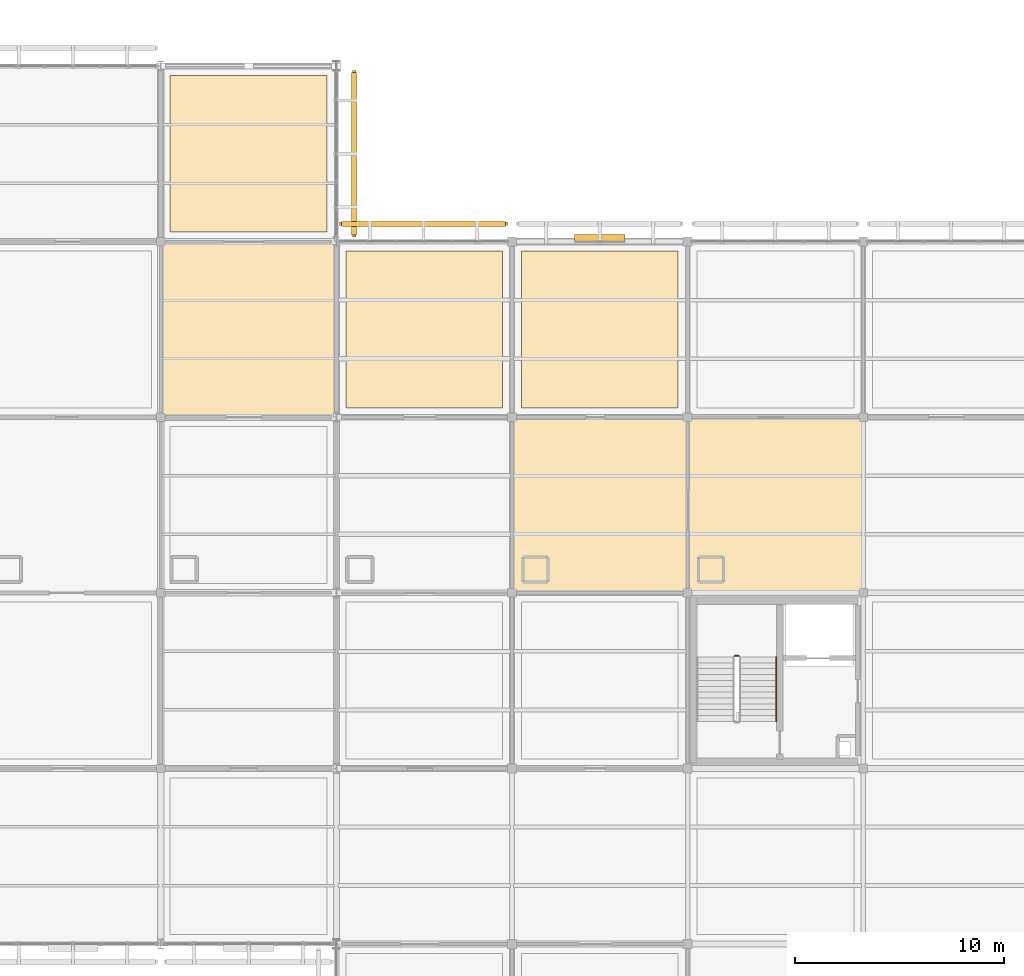
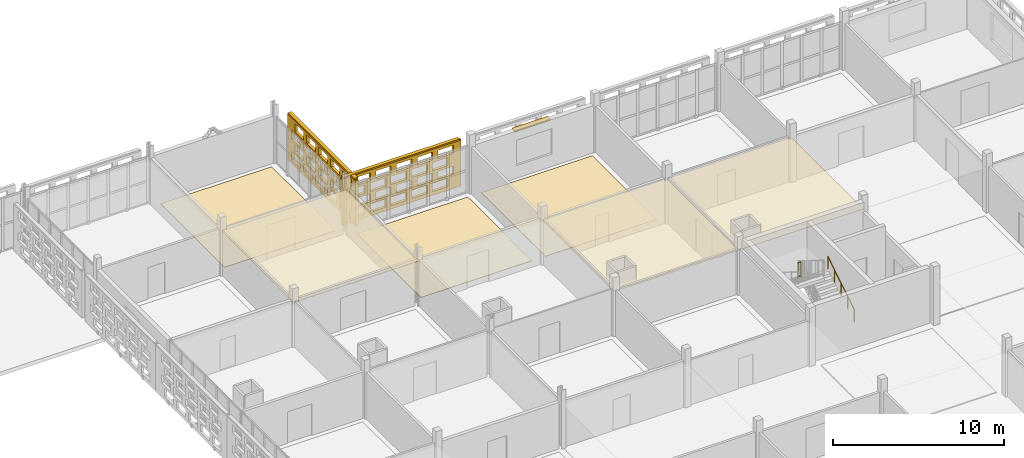
# One storey, part 163 of 166: 8 coverings, 3 shading devices, 2 railings, 40 openings.
"""IFC4 building model written with IfcOpenShell, lengths in metres."""

from ifc_helpers import new_model, si_unit, direction, frame, frame_2d, origin, origin_2d, place, context, subcontext, project, spatial, rectangle, circle, extrude, material, layer, layer_set, type_object, element, save


model = new_model("IFC4")

# Units and contexts
model_context = context("Model", 3, precision=1e-05, world=origin(), true_north=direction((0.0, 1.0)))
body_context = subcontext(model_context, "Body", "Model", "MODEL_VIEW")
ifc_project = project(units=[si_unit("LENGTHUNIT", "METRE"), si_unit("AREAUNIT", "SQUARE_METRE"), si_unit("VOLUMEUNIT", "CUBIC_METRE"), si_unit("PLANEANGLEUNIT", "RADIAN"), si_unit("MASSUNIT", "GRAM", prefix="KILO")], contexts=[model_context])

# Site, building, storey
site_placement = place(None, origin())
site = spatial("IfcSite", under=ifc_project, at=site_placement, CompositionType="ELEMENT")
building_placement = place(site_placement, origin())
building = spatial("IfcBuilding", under=site, at=building_placement, Name="Varnapada Polytechnic", CompositionType="ELEMENT")
storey_placement = place(building_placement, frame((0.0, 0.0, 9.60009765625)))
storey = spatial("IfcBuildingStorey", under=building, at=storey_placement, Name="L02", CompositionType="ELEMENT", Elevation=9.60009765625)

# Coverings
ifc_material_1 = material(Name="Acoustic Rubber Seminar Flooring")
ifc_layer_1 = layer(ifc_material_1, 0.0400390625)
ifc_layer_set_1 = layer_set([ifc_layer_1], Name="Acoustic Rubber Seminar Flooring")
covering_type_1 = type_object("IfcCoveringType", Name="Floor Finish FLR-06", PredefinedType="FLOORING", material=ifc_layer_set_1)
for number, where, z_axis, x_axis, name in (
    (1, (130.199951171875, 121.800048828125, 0.0), (0.0, 0.0, 1.0), (1.0, 0.0, 0.0), "L02 floor finish panel (16,15)"),
    (2, (138.60009765625, 113.39990234375, 0.0), (0.0, 0.0, 1.0), (1.0, 0.0, 0.0), "L02 floor finish panel (17,14)"),
    (3, (147.0, 113.39990234375, 0.0), (0.0, 0.0, 1.0), (1.0, 0.0, 0.0), "L02 floor finish panel (18,14)"),
):
    element("IfcCovering", number, at=place(storey_placement, frame(where, z_axis=z_axis, x_axis=x_axis)), inside=storey, type_object=covering_type_1, Name=name, PredefinedType="FLOORING", context=body_context, shape_type="SweptSolid", body=[
        extrude(rectangle(XDim=7.5, YDim=7.5, at=origin_2d()), origin(), (0.0, 0.0, 1.0), 0.0400390625),
    ])

# Shading device
ifc_material_2 = material(Name="Anodised aluminium", Category="aluminium")
ifc_layer_2 = layer(ifc_material_2, 0.35009765625)
ifc_layer_set_2 = layer_set([ifc_layer_2], Name="Anodised aluminium")
shading_device_type_1 = type_object("IfcShadingDeviceType", Name="Solar Louvre LVR-01", PredefinedType="JALOUSIE", material=ifc_layer_set_2)
shading_device_1_placement = place(storey_placement, frame((147.0, 117.780029296875, 3.159912109375), z_axis=(0.0, 0.0, 1.0), x_axis=(1.0, 0.0, 0.0)))
element("IfcShadingDevice", 4, at=shading_device_1_placement, inside=storey, type_object=shading_device_type_1, Name="L02 aluminium sun louvre 94", PredefinedType="JALOUSIE", context=body_context, shape_type="SweptSolid", body=[
    extrude(rectangle(XDim=2.39990234375, YDim=0.340087890625, at=origin_2d()), origin(), (0.0, 0.0, 1.0), 0.1201171875),
])

# Railings
ifc_material_3 = material(Name="Brushed Stainless Steel 316", Category="steel")
railing_type_1 = type_object("IfcRailingType", Name="Stair Wall Handrail SHR-01", PredefinedType="HANDRAIL", material=ifc_material_3)
railing_1_placement = place(storey_placement, frame((155.449951171875, 94.64990234375, 0.1748046875)))
element("IfcRailing", 5, at=railing_1_placement, inside=storey, type_object=railing_type_1, Name="L02 ST-5 stair handrail 1", PredefinedType="HANDRAIL", context=body_context, shape_type="SweptSolid", body=[
    extrude(circle(Radius=0.02392578125, at=origin_2d()), frame((0.0, 0.0, 0.8759765625), z_axis=(0.0, 0.847998304005, 0.529998940003), x_axis=(-1.0, 0.0, 0.0)), (0.0, 0.0, 1.0), 3.632080078125),
    extrude(circle(Radius=0.02099609375, at=origin_2d()), origin(), (0.0, 0.0, 1.0), 0.851806640625),
    extrude(circle(Radius=0.02099609375, at=origin_2d()), frame((0.0, 0.77001953125, 0.481201171875)), (0.0, 0.0, 1.0), 0.851806640625),
    extrude(circle(Radius=0.02099609375, at=origin_2d()), frame((0.0, 1.5400390625, 0.96240234375)), (0.0, 0.0, 1.0), 0.851806640625),
    extrude(circle(Radius=0.02099609375, at=origin_2d()), frame((0.0, 2.31005859375, 1.44384765625)), (0.0, 0.0, 1.0), 0.851806640625),
    extrude(circle(Radius=0.02099609375, at=origin_2d()), frame((0.0, 3.080078125, 1.925048828125)), (0.0, 0.0, 1.0), 0.851806640625),
])
railing_type_2 = type_object("IfcRailingType", Name="Stair Well Guard Rail SGR-01", PredefinedType="BALUSTRADE", material=ifc_material_3)
railing_2_placement = place(storey_placement, frame((153.64990234375, 97.780029296875, 2.099853515625)))
element("IfcRailing", 6, at=railing_2_placement, inside=storey, type_object=railing_type_2, Name="L02 ST-5 stair guard 2", PredefinedType="BALUSTRADE", context=body_context, shape_type="SweptSolid", body=[
    extrude(circle(Radius=0.02392578125, at=origin_2d()), frame((0.0, 0.0, 1.09619140625), z_axis=(-1.0, 0.0, 0.0), x_axis=(0.0, -1.0, 0.0)), (0.0, 0.0, 1.0), 0.199951171875),
    extrude(circle(Radius=0.02392578125, at=origin_2d()), frame((0.0, 0.0, 0.10009765625), z_axis=(-1.0, 0.0, 0.0), x_axis=(0.0, -1.0, 0.0)), (0.0, 0.0, 1.0), 0.199951171875),
    extrude(circle(Radius=0.02099609375, at=origin_2d()), origin(), (0.0, 0.0, 1.0), 1.072021484375),
    extrude(circle(Radius=0.02099609375, at=origin_2d()), frame((-0.199951171875, 0.0, 0.0)), (0.0, 0.0, 1.0), 1.072021484375),
])

# Coverings
ifc_material_4 = material(Name="Mineral Fibre Acoustic Ceiling Tile")
ifc_layer_3 = layer(ifc_material_4, 0.0400390625)
ifc_layer_set_3 = layer_set([ifc_layer_3], Name="Mineral Fibre Acoustic Ceiling Tile")
covering_type_2 = type_object("IfcCoveringType", Name="Suspended Ceiling CLG-01", PredefinedType="CEILING", material=ifc_layer_set_3)
covering_1_placement = place(storey_placement, frame((147.0, 105.0, 3.02978515625), z_axis=(0.0, 0.0, 1.0), x_axis=(1.0, 0.0, 0.0)))
element("IfcCovering", 7, at=covering_1_placement, inside=storey, type_object=covering_type_2, Name="L02 suspended acoustic ceiling (18,13)", PredefinedType="CEILING", context=body_context, shape_type="SweptSolid", body=[
    extrude(rectangle(XDim=8.419921875, YDim=8.419921875, at=origin_2d()), origin(), (0.0, 0.0, 1.0), 0.0400390625),
])
ifc_material_5 = material(Name="Micro-Perforated Gypsum Acoustic Ceiling")
ifc_layer_4 = layer(ifc_material_5, 0.044921875)
ifc_layer_set_4 = layer_set([ifc_layer_4], Name="Micro-Perforated Gypsum Acoustic Ceiling")
covering_type_3 = type_object("IfcCoveringType", Name="Suspended Ceiling CLG-04", PredefinedType="CEILING", material=ifc_layer_set_4)
covering_2_placement = place(storey_placement, frame((155.39990234375, 105.0, 3.02734375), z_axis=(0.0, 0.0, 1.0), x_axis=(1.0, 0.0, 0.0)))
element("IfcCovering", 8, at=covering_2_placement, inside=storey, type_object=covering_type_3, Name="L02 suspended acoustic ceiling (19,13)", PredefinedType="CEILING", context=body_context, shape_type="SweptSolid", body=[
    extrude(rectangle(XDim=8.419921875, YDim=8.419921875, at=origin_2d()), origin(), (0.0, 0.0, 1.0), 0.044921875),
])
ifc_material_6 = material(Name="Slatted Merbau Timber Acoustic Ceiling", Category="wood")
ifc_layer_5 = layer(ifc_material_6, 0.054931640625)
ifc_layer_set_5 = layer_set([ifc_layer_5], Name="Slatted Merbau Timber Acoustic Ceiling")
covering_type_4 = type_object("IfcCoveringType", Name="Suspended Ceiling CLG-05", PredefinedType="CEILING", material=ifc_layer_set_5)
covering_3_placement = place(storey_placement, frame((130.199951171875, 113.39990234375, 3.0224609375), z_axis=(0.0, 0.0, 1.0), x_axis=(1.0, 0.0, 0.0)))
element("IfcCovering", 9, at=covering_3_placement, inside=storey, type_object=covering_type_4, Name="L02 suspended acoustic ceiling (16,14)", PredefinedType="CEILING", context=body_context, shape_type="SweptSolid", body=[
    extrude(rectangle(XDim=8.419921875, YDim=8.419921875, at=origin_2d()), origin(), (0.0, 0.0, 1.0), 0.054931640625),
])

# Covering, openings
ifc_material_7 = material(Name="Earth-toned architectural terracotta screen block", Category="masonry")
ifc_layer_6 = layer(ifc_material_7, 0.1201171875)
ifc_layer_set_6 = layer_set([ifc_layer_6], Name="Earth-toned architectural terracotta screen block")
covering_type_5 = type_object("IfcCoveringType", Name="Terracotta Screen Cladding CLD-01", PredefinedType="CLADDING", material=ifc_layer_set_6)
covering_4_placement = place(storey_placement, frame((135.25, 125.780029296875, 0.0), z_axis=(0.0, 0.0, 1.0), x_axis=(0.0, -1.0, 0.0)))
covering_4 = element("IfcCovering", 10, at=covering_4_placement, inside=storey, type_object=covering_type_5, Name="L02 perforated terracotta block screen (78)", PredefinedType="CLADDING", context=body_context, shape_type="SweptSolid", body=[
    extrude(rectangle(XDim=7.955078125, YDim=0.179931640625, at=frame_2d((3.9775390625, 0.0))), origin(), (0.0, 0.0, 1.0), 3.31982421875),
])
opening_1_placement = place(covering_4_placement, frame((0.4775390625, 0.0, 0.265625)))
element("IfcOpeningElement", 11, at=opening_1_placement, cuts=covering_4, Name="Screen perforation TBS-L02-077.1", PredefinedType="OPENING", context=body_context, shape_type="SweptSolid", body=[
    extrude(rectangle(XDim=1.0400390625, YDim=0.5810546875, at=frame_2d((0.52001953125, 0.29052734375))), frame((0.0, 0.099853515625, 0.0), z_axis=(0.0, -1.0, 0.0), x_axis=(1.0, 0.0, 0.0)), (0.0, 0.0, 1.0), 0.199951171875),
])
opening_2_placement = place(covering_4_placement, frame((1.87744140625, 0.0, 0.265625)))
element("IfcOpeningElement", 12, at=opening_2_placement, cuts=covering_4, Name="Screen perforation TBS-L02-077.2", PredefinedType="OPENING", context=body_context, shape_type="SweptSolid", body=[
    extrude(rectangle(XDim=1.0400390625, YDim=0.5810546875, at=frame_2d((0.52001953125, 0.29052734375))), frame((0.0, 0.099853515625, 0.0), z_axis=(0.0, -1.0, 0.0), x_axis=(1.0, 0.0, 0.0)), (0.0, 0.0, 1.0), 0.199951171875),
])
opening_3_placement = place(covering_4_placement, frame((3.277587890625, 0.0, 0.265625)))
element("IfcOpeningElement", 13, at=opening_3_placement, cuts=covering_4, Name="Screen perforation TBS-L02-077.3", PredefinedType="OPENING", context=body_context, shape_type="SweptSolid", body=[
    extrude(rectangle(XDim=1.0400390625, YDim=0.5810546875, at=frame_2d((0.52001953125, 0.29052734375))), frame((0.0, 0.099853515625, 0.0), z_axis=(0.0, -1.0, 0.0), x_axis=(1.0, 0.0, 0.0)), (0.0, 0.0, 1.0), 0.199951171875),
])
opening_4_placement = place(covering_4_placement, frame((4.677490234375, 0.0, 0.265625)))
element("IfcOpeningElement", 14, at=opening_4_placement, cuts=covering_4, Name="Screen perforation TBS-L02-077.4", PredefinedType="OPENING", context=body_context, shape_type="SweptSolid", body=[
    extrude(rectangle(XDim=1.0400390625, YDim=0.5810546875, at=frame_2d((0.52001953125, 0.29052734375))), frame((0.0, 0.099853515625, 0.0), z_axis=(0.0, -1.0, 0.0), x_axis=(1.0, 0.0, 0.0)), (0.0, 0.0, 1.0), 0.199951171875),
])
opening_5_placement = place(covering_4_placement, frame((6.077392578125, 0.0, 0.265625)))
element("IfcOpeningElement", 15, at=opening_5_placement, cuts=covering_4, Name="Screen perforation TBS-L02-077.5", PredefinedType="OPENING", context=body_context, shape_type="SweptSolid", body=[
    extrude(rectangle(XDim=1.0400390625, YDim=0.5810546875, at=frame_2d((0.52001953125, 0.29052734375))), frame((0.0, 0.099853515625, 0.0), z_axis=(0.0, -1.0, 0.0), x_axis=(1.0, 0.0, 0.0)), (0.0, 0.0, 1.0), 0.199951171875),
])
opening_6_placement = place(covering_4_placement, frame((0.83740234375, 0.0, 1.0126953125)))
element("IfcOpeningElement", 16, at=opening_6_placement, cuts=covering_4, Name="Screen perforation TBS-L02-077.6", PredefinedType="OPENING", context=body_context, shape_type="SweptSolid", body=[
    extrude(rectangle(XDim=1.0400390625, YDim=0.5810546875, at=frame_2d((0.52001953125, 0.29052734375))), frame((0.0, 0.099853515625, 0.0), z_axis=(0.0, -1.0, 0.0), x_axis=(1.0, 0.0, 0.0)), (0.0, 0.0, 1.0), 0.199951171875),
])
opening_7_placement = place(covering_4_placement, frame((2.237548828125, 0.0, 1.0126953125)))
element("IfcOpeningElement", 17, at=opening_7_placement, cuts=covering_4, Name="Screen perforation TBS-L02-077.7", PredefinedType="OPENING", context=body_context, shape_type="SweptSolid", body=[
    extrude(rectangle(XDim=1.0400390625, YDim=0.5810546875, at=frame_2d((0.52001953125, 0.29052734375))), frame((0.0, 0.099853515625, 0.0), z_axis=(0.0, -1.0, 0.0), x_axis=(1.0, 0.0, 0.0)), (0.0, 0.0, 1.0), 0.199951171875),
])
opening_8_placement = place(covering_4_placement, frame((3.637451171875, 0.0, 1.0126953125)))
element("IfcOpeningElement", 18, at=opening_8_placement, cuts=covering_4, Name="Screen perforation TBS-L02-077.8", PredefinedType="OPENING", context=body_context, shape_type="SweptSolid", body=[
    extrude(rectangle(XDim=1.0400390625, YDim=0.5810546875, at=frame_2d((0.52001953125, 0.29052734375))), frame((0.0, 0.099853515625, 0.0), z_axis=(0.0, -1.0, 0.0), x_axis=(1.0, 0.0, 0.0)), (0.0, 0.0, 1.0), 0.199951171875),
])
opening_9_placement = place(covering_4_placement, frame((5.03759765625, 0.0, 1.0126953125)))
element("IfcOpeningElement", 19, at=opening_9_placement, cuts=covering_4, Name="Screen perforation TBS-L02-077.9", PredefinedType="OPENING", context=body_context, shape_type="SweptSolid", body=[
    extrude(rectangle(XDim=1.0400390625, YDim=0.5810546875, at=frame_2d((0.52001953125, 0.29052734375))), frame((0.0, 0.099853515625, 0.0), z_axis=(0.0, -1.0, 0.0), x_axis=(1.0, 0.0, 0.0)), (0.0, 0.0, 1.0), 0.199951171875),
])
opening_10_placement = place(covering_4_placement, frame((6.4375, 0.0, 1.0126953125)))
element("IfcOpeningElement", 20, at=opening_10_placement, cuts=covering_4, Name="Screen perforation TBS-L02-077.10", PredefinedType="OPENING", context=body_context, shape_type="SweptSolid", body=[
    extrude(rectangle(XDim=1.0400390625, YDim=0.5810546875, at=frame_2d((0.52001953125, 0.29052734375))), frame((0.0, 0.099853515625, 0.0), z_axis=(0.0, -1.0, 0.0), x_axis=(1.0, 0.0, 0.0)), (0.0, 0.0, 1.0), 0.199951171875),
])
opening_11_placement = place(covering_4_placement, frame((0.4775390625, 0.0, 1.759521484375)))
element("IfcOpeningElement", 21, at=opening_11_placement, cuts=covering_4, Name="Screen perforation TBS-L02-077.11", PredefinedType="OPENING", context=body_context, shape_type="SweptSolid", body=[
    extrude(rectangle(XDim=1.0400390625, YDim=0.5810546875, at=frame_2d((0.52001953125, 0.29052734375))), frame((0.0, 0.099853515625, 0.0), z_axis=(0.0, -1.0, 0.0), x_axis=(1.0, 0.0, 0.0)), (0.0, 0.0, 1.0), 0.199951171875),
])
opening_12_placement = place(covering_4_placement, frame((1.87744140625, 0.0, 1.759521484375)))
element("IfcOpeningElement", 22, at=opening_12_placement, cuts=covering_4, Name="Screen perforation TBS-L02-077.12", PredefinedType="OPENING", context=body_context, shape_type="SweptSolid", body=[
    extrude(rectangle(XDim=1.0400390625, YDim=0.5810546875, at=frame_2d((0.52001953125, 0.29052734375))), frame((0.0, 0.099853515625, 0.0), z_axis=(0.0, -1.0, 0.0), x_axis=(1.0, 0.0, 0.0)), (0.0, 0.0, 1.0), 0.199951171875),
])
opening_13_placement = place(covering_4_placement, frame((3.277587890625, 0.0, 1.759521484375)))
element("IfcOpeningElement", 23, at=opening_13_placement, cuts=covering_4, Name="Screen perforation TBS-L02-077.13", PredefinedType="OPENING", context=body_context, shape_type="SweptSolid", body=[
    extrude(rectangle(XDim=1.0400390625, YDim=0.5810546875, at=frame_2d((0.52001953125, 0.29052734375))), frame((0.0, 0.099853515625, 0.0), z_axis=(0.0, -1.0, 0.0), x_axis=(1.0, 0.0, 0.0)), (0.0, 0.0, 1.0), 0.199951171875),
])
opening_14_placement = place(covering_4_placement, frame((4.677490234375, 0.0, 1.759521484375)))
element("IfcOpeningElement", 24, at=opening_14_placement, cuts=covering_4, Name="Screen perforation TBS-L02-077.14", PredefinedType="OPENING", context=body_context, shape_type="SweptSolid", body=[
    extrude(rectangle(XDim=1.0400390625, YDim=0.5810546875, at=frame_2d((0.52001953125, 0.29052734375))), frame((0.0, 0.099853515625, 0.0), z_axis=(0.0, -1.0, 0.0), x_axis=(1.0, 0.0, 0.0)), (0.0, 0.0, 1.0), 0.199951171875),
])
opening_15_placement = place(covering_4_placement, frame((6.077392578125, 0.0, 1.759521484375)))
element("IfcOpeningElement", 25, at=opening_15_placement, cuts=covering_4, Name="Screen perforation TBS-L02-077.15", PredefinedType="OPENING", context=body_context, shape_type="SweptSolid", body=[
    extrude(rectangle(XDim=1.0400390625, YDim=0.5810546875, at=frame_2d((0.52001953125, 0.29052734375))), frame((0.0, 0.099853515625, 0.0), z_axis=(0.0, -1.0, 0.0), x_axis=(1.0, 0.0, 0.0)), (0.0, 0.0, 1.0), 0.199951171875),
])
opening_16_placement = place(covering_4_placement, frame((0.83740234375, 0.0, 2.506591796875)))
element("IfcOpeningElement", 26, at=opening_16_placement, cuts=covering_4, Name="Screen perforation TBS-L02-077.16", PredefinedType="OPENING", context=body_context, shape_type="SweptSolid", body=[
    extrude(rectangle(XDim=1.0400390625, YDim=0.5810546875, at=frame_2d((0.52001953125, 0.29052734375))), frame((0.0, 0.099853515625, 0.0), z_axis=(0.0, -1.0, 0.0), x_axis=(1.0, 0.0, 0.0)), (0.0, 0.0, 1.0), 0.199951171875),
])
opening_17_placement = place(covering_4_placement, frame((2.237548828125, 0.0, 2.506591796875)))
element("IfcOpeningElement", 27, at=opening_17_placement, cuts=covering_4, Name="Screen perforation TBS-L02-077.17", PredefinedType="OPENING", context=body_context, shape_type="SweptSolid", body=[
    extrude(rectangle(XDim=1.0400390625, YDim=0.5810546875, at=frame_2d((0.52001953125, 0.29052734375))), frame((0.0, 0.099853515625, 0.0), z_axis=(0.0, -1.0, 0.0), x_axis=(1.0, 0.0, 0.0)), (0.0, 0.0, 1.0), 0.199951171875),
])
opening_18_placement = place(covering_4_placement, frame((3.637451171875, 0.0, 2.506591796875)))
element("IfcOpeningElement", 28, at=opening_18_placement, cuts=covering_4, Name="Screen perforation TBS-L02-077.18", PredefinedType="OPENING", context=body_context, shape_type="SweptSolid", body=[
    extrude(rectangle(XDim=1.0400390625, YDim=0.5810546875, at=frame_2d((0.52001953125, 0.29052734375))), frame((0.0, 0.099853515625, 0.0), z_axis=(0.0, -1.0, 0.0), x_axis=(1.0, 0.0, 0.0)), (0.0, 0.0, 1.0), 0.199951171875),
])
opening_19_placement = place(covering_4_placement, frame((5.03759765625, 0.0, 2.506591796875)))
element("IfcOpeningElement", 29, at=opening_19_placement, cuts=covering_4, Name="Screen perforation TBS-L02-077.19", PredefinedType="OPENING", context=body_context, shape_type="SweptSolid", body=[
    extrude(rectangle(XDim=1.0400390625, YDim=0.5810546875, at=frame_2d((0.52001953125, 0.29052734375))), frame((0.0, 0.099853515625, 0.0), z_axis=(0.0, -1.0, 0.0), x_axis=(1.0, 0.0, 0.0)), (0.0, 0.0, 1.0), 0.199951171875),
])
opening_20_placement = place(covering_4_placement, frame((6.4375, 0.0, 2.506591796875)))
element("IfcOpeningElement", 30, at=opening_20_placement, cuts=covering_4, Name="Screen perforation TBS-L02-077.20", PredefinedType="OPENING", context=body_context, shape_type="SweptSolid", body=[
    extrude(rectangle(XDim=1.0400390625, YDim=0.5810546875, at=frame_2d((0.52001953125, 0.29052734375))), frame((0.0, 0.099853515625, 0.0), z_axis=(0.0, -1.0, 0.0), x_axis=(1.0, 0.0, 0.0)), (0.0, 0.0, 1.0), 0.199951171875),
])

covering_5_placement = place(storey_placement, frame((134.550048828125, 118.449951171875, 0.0), z_axis=(0.0, 0.0, 1.0), x_axis=(1.0, 0.0, 0.0)))
covering_5 = element("IfcCovering", 31, at=covering_5_placement, inside=storey, type_object=covering_type_5, Name="L02 perforated terracotta block screen (90)", PredefinedType="CLADDING", context=body_context, shape_type="SweptSolid", body=[
    extrude(rectangle(XDim=8.0400390625, YDim=0.179931640625, at=frame_2d((4.02001953125, 0.0))), origin(), (0.0, 0.0, 1.0), 3.31982421875),
])
opening_21_placement = place(covering_5_placement, frame((0.52001953125, 0.0, 0.265625)))
element("IfcOpeningElement", 32, at=opening_21_placement, cuts=covering_5, Name="Screen perforation TBS-L02-089.1", PredefinedType="OPENING", context=body_context, shape_type="SweptSolid", body=[
    extrude(rectangle(XDim=1.0400390625, YDim=0.5810546875, at=frame_2d((0.52001953125, 0.29052734375))), frame((0.0, 0.099853515625, 0.0), z_axis=(0.0, -1.0, 0.0), x_axis=(1.0, 0.0, 0.0)), (0.0, 0.0, 1.0), 0.199951171875),
])
opening_22_placement = place(covering_5_placement, frame((1.919921875, 0.0, 0.265625)))
element("IfcOpeningElement", 33, at=opening_22_placement, cuts=covering_5, Name="Screen perforation TBS-L02-089.2", PredefinedType="OPENING", context=body_context, shape_type="SweptSolid", body=[
    extrude(rectangle(XDim=1.0400390625, YDim=0.5810546875, at=frame_2d((0.52001953125, 0.29052734375))), frame((0.0, 0.099853515625, 0.0), z_axis=(0.0, -1.0, 0.0), x_axis=(1.0, 0.0, 0.0)), (0.0, 0.0, 1.0), 0.199951171875),
])
opening_23_placement = place(covering_5_placement, frame((3.320068359375, 0.0, 0.265625)))
element("IfcOpeningElement", 34, at=opening_23_placement, cuts=covering_5, Name="Screen perforation TBS-L02-089.3", PredefinedType="OPENING", context=body_context, shape_type="SweptSolid", body=[
    extrude(rectangle(XDim=1.0400390625, YDim=0.5810546875, at=frame_2d((0.52001953125, 0.29052734375))), frame((0.0, 0.099853515625, 0.0), z_axis=(0.0, -1.0, 0.0), x_axis=(1.0, 0.0, 0.0)), (0.0, 0.0, 1.0), 0.199951171875),
])
opening_24_placement = place(covering_5_placement, frame((4.719970703125, 0.0, 0.265625)))
element("IfcOpeningElement", 35, at=opening_24_placement, cuts=covering_5, Name="Screen perforation TBS-L02-089.4", PredefinedType="OPENING", context=body_context, shape_type="SweptSolid", body=[
    extrude(rectangle(XDim=1.0400390625, YDim=0.5810546875, at=frame_2d((0.52001953125, 0.29052734375))), frame((0.0, 0.099853515625, 0.0), z_axis=(0.0, -1.0, 0.0), x_axis=(1.0, 0.0, 0.0)), (0.0, 0.0, 1.0), 0.199951171875),
])
opening_25_placement = place(covering_5_placement, frame((6.1201171875, 0.0, 0.265625)))
element("IfcOpeningElement", 36, at=opening_25_placement, cuts=covering_5, Name="Screen perforation TBS-L02-089.5", PredefinedType="OPENING", context=body_context, shape_type="SweptSolid", body=[
    extrude(rectangle(XDim=1.0400390625, YDim=0.5810546875, at=frame_2d((0.52001953125, 0.29052734375))), frame((0.0, 0.099853515625, 0.0), z_axis=(0.0, -1.0, 0.0), x_axis=(1.0, 0.0, 0.0)), (0.0, 0.0, 1.0), 0.199951171875),
])
opening_26_placement = place(covering_5_placement, frame((0.8798828125, 0.0, 1.0126953125)))
element("IfcOpeningElement", 37, at=opening_26_placement, cuts=covering_5, Name="Screen perforation TBS-L02-089.6", PredefinedType="OPENING", context=body_context, shape_type="SweptSolid", body=[
    extrude(rectangle(XDim=1.0400390625, YDim=0.5810546875, at=frame_2d((0.52001953125, 0.29052734375))), frame((0.0, 0.099853515625, 0.0), z_axis=(0.0, -1.0, 0.0), x_axis=(1.0, 0.0, 0.0)), (0.0, 0.0, 1.0), 0.199951171875),
])
opening_27_placement = place(covering_5_placement, frame((2.280029296875, 0.0, 1.0126953125)))
element("IfcOpeningElement", 38, at=opening_27_placement, cuts=covering_5, Name="Screen perforation TBS-L02-089.7", PredefinedType="OPENING", context=body_context, shape_type="SweptSolid", body=[
    extrude(rectangle(XDim=1.0400390625, YDim=0.5810546875, at=frame_2d((0.52001953125, 0.29052734375))), frame((0.0, 0.099853515625, 0.0), z_axis=(0.0, -1.0, 0.0), x_axis=(1.0, 0.0, 0.0)), (0.0, 0.0, 1.0), 0.199951171875),
])
opening_28_placement = place(covering_5_placement, frame((3.679931640625, 0.0, 1.0126953125)))
element("IfcOpeningElement", 39, at=opening_28_placement, cuts=covering_5, Name="Screen perforation TBS-L02-089.8", PredefinedType="OPENING", context=body_context, shape_type="SweptSolid", body=[
    extrude(rectangle(XDim=1.0400390625, YDim=0.5810546875, at=frame_2d((0.52001953125, 0.29052734375))), frame((0.0, 0.099853515625, 0.0), z_axis=(0.0, -1.0, 0.0), x_axis=(1.0, 0.0, 0.0)), (0.0, 0.0, 1.0), 0.199951171875),
])
opening_29_placement = place(covering_5_placement, frame((5.080078125, 0.0, 1.0126953125)))
element("IfcOpeningElement", 40, at=opening_29_placement, cuts=covering_5, Name="Screen perforation TBS-L02-089.9", PredefinedType="OPENING", context=body_context, shape_type="SweptSolid", body=[
    extrude(rectangle(XDim=1.0400390625, YDim=0.5810546875, at=frame_2d((0.52001953125, 0.29052734375))), frame((0.0, 0.099853515625, 0.0), z_axis=(0.0, -1.0, 0.0), x_axis=(1.0, 0.0, 0.0)), (0.0, 0.0, 1.0), 0.199951171875),
])
opening_30_placement = place(covering_5_placement, frame((6.47998046875, 0.0, 1.0126953125)))
element("IfcOpeningElement", 41, at=opening_30_placement, cuts=covering_5, Name="Screen perforation TBS-L02-089.10", PredefinedType="OPENING", context=body_context, shape_type="SweptSolid", body=[
    extrude(rectangle(XDim=1.0400390625, YDim=0.5810546875, at=frame_2d((0.52001953125, 0.29052734375))), frame((0.0, 0.099853515625, 0.0), z_axis=(0.0, -1.0, 0.0), x_axis=(1.0, 0.0, 0.0)), (0.0, 0.0, 1.0), 0.199951171875),
])
opening_31_placement = place(covering_5_placement, frame((0.52001953125, 0.0, 1.759521484375)))
element("IfcOpeningElement", 42, at=opening_31_placement, cuts=covering_5, Name="Screen perforation TBS-L02-089.11", PredefinedType="OPENING", context=body_context, shape_type="SweptSolid", body=[
    extrude(rectangle(XDim=1.0400390625, YDim=0.5810546875, at=frame_2d((0.52001953125, 0.29052734375))), frame((0.0, 0.099853515625, 0.0), z_axis=(0.0, -1.0, 0.0), x_axis=(1.0, 0.0, 0.0)), (0.0, 0.0, 1.0), 0.199951171875),
])
opening_32_placement = place(covering_5_placement, frame((1.919921875, 0.0, 1.759521484375)))
element("IfcOpeningElement", 43, at=opening_32_placement, cuts=covering_5, Name="Screen perforation TBS-L02-089.12", PredefinedType="OPENING", context=body_context, shape_type="SweptSolid", body=[
    extrude(rectangle(XDim=1.0400390625, YDim=0.5810546875, at=frame_2d((0.52001953125, 0.29052734375))), frame((0.0, 0.099853515625, 0.0), z_axis=(0.0, -1.0, 0.0), x_axis=(1.0, 0.0, 0.0)), (0.0, 0.0, 1.0), 0.199951171875),
])
opening_33_placement = place(covering_5_placement, frame((3.320068359375, 0.0, 1.759521484375)))
element("IfcOpeningElement", 44, at=opening_33_placement, cuts=covering_5, Name="Screen perforation TBS-L02-089.13", PredefinedType="OPENING", context=body_context, shape_type="SweptSolid", body=[
    extrude(rectangle(XDim=1.0400390625, YDim=0.5810546875, at=frame_2d((0.52001953125, 0.29052734375))), frame((0.0, 0.099853515625, 0.0), z_axis=(0.0, -1.0, 0.0), x_axis=(1.0, 0.0, 0.0)), (0.0, 0.0, 1.0), 0.199951171875),
])
opening_34_placement = place(covering_5_placement, frame((4.719970703125, 0.0, 1.759521484375)))
element("IfcOpeningElement", 45, at=opening_34_placement, cuts=covering_5, Name="Screen perforation TBS-L02-089.14", PredefinedType="OPENING", context=body_context, shape_type="SweptSolid", body=[
    extrude(rectangle(XDim=1.0400390625, YDim=0.5810546875, at=frame_2d((0.52001953125, 0.29052734375))), frame((0.0, 0.099853515625, 0.0), z_axis=(0.0, -1.0, 0.0), x_axis=(1.0, 0.0, 0.0)), (0.0, 0.0, 1.0), 0.199951171875),
])
opening_35_placement = place(covering_5_placement, frame((6.1201171875, 0.0, 1.759521484375)))
element("IfcOpeningElement", 46, at=opening_35_placement, cuts=covering_5, Name="Screen perforation TBS-L02-089.15", PredefinedType="OPENING", context=body_context, shape_type="SweptSolid", body=[
    extrude(rectangle(XDim=1.0400390625, YDim=0.5810546875, at=frame_2d((0.52001953125, 0.29052734375))), frame((0.0, 0.099853515625, 0.0), z_axis=(0.0, -1.0, 0.0), x_axis=(1.0, 0.0, 0.0)), (0.0, 0.0, 1.0), 0.199951171875),
])
opening_36_placement = place(covering_5_placement, frame((0.8798828125, 0.0, 2.506591796875)))
element("IfcOpeningElement", 47, at=opening_36_placement, cuts=covering_5, Name="Screen perforation TBS-L02-089.16", PredefinedType="OPENING", context=body_context, shape_type="SweptSolid", body=[
    extrude(rectangle(XDim=1.0400390625, YDim=0.5810546875, at=frame_2d((0.52001953125, 0.29052734375))), frame((0.0, 0.099853515625, 0.0), z_axis=(0.0, -1.0, 0.0), x_axis=(1.0, 0.0, 0.0)), (0.0, 0.0, 1.0), 0.199951171875),
])
opening_37_placement = place(covering_5_placement, frame((2.280029296875, 0.0, 2.506591796875)))
element("IfcOpeningElement", 48, at=opening_37_placement, cuts=covering_5, Name="Screen perforation TBS-L02-089.17", PredefinedType="OPENING", context=body_context, shape_type="SweptSolid", body=[
    extrude(rectangle(XDim=1.0400390625, YDim=0.5810546875, at=frame_2d((0.52001953125, 0.29052734375))), frame((0.0, 0.099853515625, 0.0), z_axis=(0.0, -1.0, 0.0), x_axis=(1.0, 0.0, 0.0)), (0.0, 0.0, 1.0), 0.199951171875),
])
opening_38_placement = place(covering_5_placement, frame((3.679931640625, 0.0, 2.506591796875)))
element("IfcOpeningElement", 49, at=opening_38_placement, cuts=covering_5, Name="Screen perforation TBS-L02-089.18", PredefinedType="OPENING", context=body_context, shape_type="SweptSolid", body=[
    extrude(rectangle(XDim=1.0400390625, YDim=0.5810546875, at=frame_2d((0.52001953125, 0.29052734375))), frame((0.0, 0.099853515625, 0.0), z_axis=(0.0, -1.0, 0.0), x_axis=(1.0, 0.0, 0.0)), (0.0, 0.0, 1.0), 0.199951171875),
])
opening_39_placement = place(covering_5_placement, frame((5.080078125, 0.0, 2.506591796875)))
element("IfcOpeningElement", 50, at=opening_39_placement, cuts=covering_5, Name="Screen perforation TBS-L02-089.19", PredefinedType="OPENING", context=body_context, shape_type="SweptSolid", body=[
    extrude(rectangle(XDim=1.0400390625, YDim=0.5810546875, at=frame_2d((0.52001953125, 0.29052734375))), frame((0.0, 0.099853515625, 0.0), z_axis=(0.0, -1.0, 0.0), x_axis=(1.0, 0.0, 0.0)), (0.0, 0.0, 1.0), 0.199951171875),
])
opening_40_placement = place(covering_5_placement, frame((6.47998046875, 0.0, 2.506591796875)))
element("IfcOpeningElement", 51, at=opening_40_placement, cuts=covering_5, Name="Screen perforation TBS-L02-089.20", PredefinedType="OPENING", context=body_context, shape_type="SweptSolid", body=[
    extrude(rectangle(XDim=1.0400390625, YDim=0.5810546875, at=frame_2d((0.52001953125, 0.29052734375))), frame((0.0, 0.099853515625, 0.0), z_axis=(0.0, -1.0, 0.0), x_axis=(1.0, 0.0, 0.0)), (0.0, 0.0, 1.0), 0.199951171875),
])

# Shading devices
ifc_layer_7 = layer(ifc_material_7, 0.179931640625)
ifc_layer_set_7 = layer_set([ifc_layer_7], Name="Earth-toned architectural terracotta screen block")
shading_device_type_2 = type_object("IfcShadingDeviceType", Name="Terracotta Screen SCR-01", PredefinedType="USERDEFINED", material=ifc_layer_set_7)
shading_device_2_placement = place(storey_placement, frame((135.25, 121.802490234375, 3.309814453125), z_axis=(0.0, 0.0, 1.0), x_axis=(0.0, -1.0, 0.0)))
element("IfcShadingDevice", 52, at=shading_device_2_placement, inside=storey, type_object=shading_device_type_2, Name="L02 perforated terracotta screen hood 302", ObjectType="SCREEN", PredefinedType="USERDEFINED", context=body_context, shape_type="SweptSolid", body=[
    extrude(rectangle(XDim=7.7548828125, YDim=0.239990234375, at=origin_2d()), origin(), (0.0, 0.0, 1.0), 0.10009765625),
])
shading_device_3_placement = place(storey_placement, frame((138.570068359375, 118.449951171875, 3.309814453125), z_axis=(0.0, 0.0, 1.0), x_axis=(1.0, 0.0, 0.0)))
element("IfcShadingDevice", 53, at=shading_device_3_placement, inside=storey, type_object=shading_device_type_2, Name="L02 perforated terracotta screen hood 314", ObjectType="SCREEN", PredefinedType="USERDEFINED", context=body_context, shape_type="SweptSolid", body=[
    extrude(rectangle(XDim=7.840087890625, YDim=0.239990234375, at=origin_2d()), origin(), (0.0, 0.0, 1.0), 0.10009765625),
])

save(model, "model.ifc")
